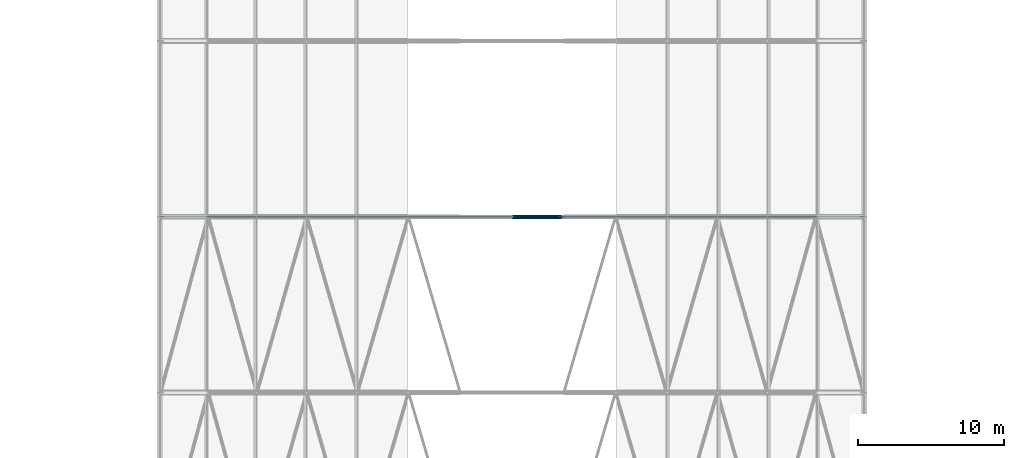
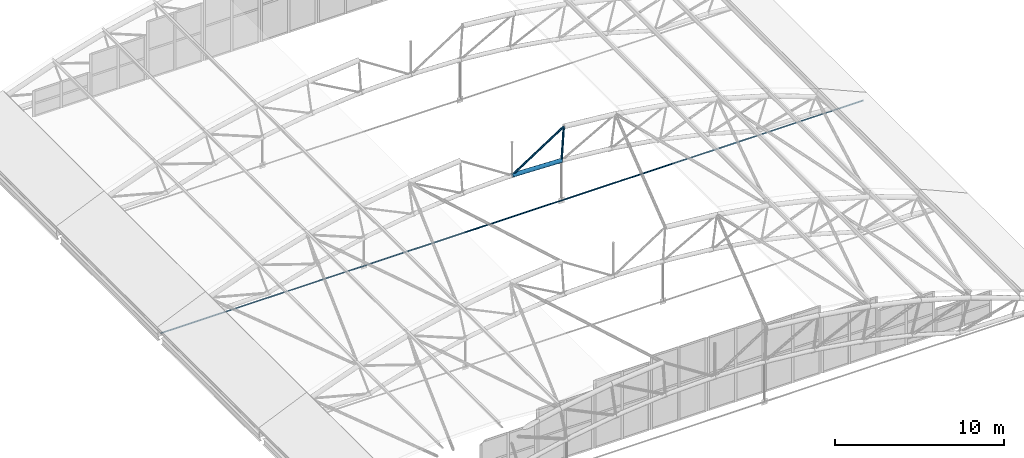
# One storey, part 130 of 321: 4 members.
"""IFC4 building model written with IfcOpenShell, lengths in metres."""

from ifc_helpers import new_model, si_unit, direction, frame, origin, origin_2d, place, context, subcontext, project, spatial, circle, hollow_circle, extrude, material, material_profile, profile_set, type_object, element, save


model = new_model("IFC4")

# Units and contexts
model_context = context("Model", 3, precision=1e-05, world=origin(), true_north=direction((0.0, 1.0)))
body_context = subcontext(model_context, "Body", "Model", "MODEL_VIEW")
ifc_project = project(units=[si_unit("LENGTHUNIT", "METRE"), si_unit("AREAUNIT", "SQUARE_METRE"), si_unit("VOLUMEUNIT", "CUBIC_METRE"), si_unit("PLANEANGLEUNIT", "RADIAN"), si_unit("MASSUNIT", "GRAM", prefix="KILO")], contexts=[model_context])

# Site, building, storey
site_placement = place(None, origin())
site = spatial("IfcSite", under=ifc_project, at=site_placement, CompositionType="ELEMENT")
building_placement = place(site_placement, origin())
building = spatial("IfcBuilding", under=site, at=building_placement, Name="Ravi Spectrum Wholesale Market", CompositionType="ELEMENT")
storey_placement = place(building_placement, frame((0.0, 0.0, 10.800048828125)))
storey = spatial("IfcBuildingStorey", under=building, at=storey_placement, Name="L02", CompositionType="ELEMENT", Elevation=10.800048828125)

# Members
ifc_material_1 = material(Name="Steel S355", Category="steel")
ifc_material_profile_1 = material_profile(ifc_material_1, hollow_circle(Radius=0.06982421875, WallThickness=0.0048828125, at=origin_2d()))
ifc_profile_set_1 = profile_set([ifc_material_profile_1], Name="Steel S355")
member_type_1 = type_object("IfcMemberType", Name="CHS 139.7x5 brace", PredefinedType="BRACE", material=ifc_profile_set_1)
member_1_placement = place(storey_placement, frame((177.540771484375, 102.0, 5.2880859375), z_axis=(-0.839894736946, 0.0, -0.542749325978), x_axis=(0.0, -1.0, 0.0)))
element("IfcMember", 1, at=member_1_placement, inside=storey, type_object=member_type_1, Name="H2-MB-L02-160", PredefinedType="BRACE", context=body_context, shape_type="SweptSolid", body=[
    extrude(hollow_circle(Radius=0.06982421875, WallThickness=0.0048828125, at=origin_2d()), origin(), (0.0, 0.0, 1.0), 4.2158203125),
])
ifc_material_2 = material(Name="Steel S355", Category="steel")
ifc_material_profile_2 = material_profile(ifc_material_2, hollow_circle(Radius=0.06982421875, WallThickness=0.0048828125, at=origin_2d()))
ifc_profile_set_2 = profile_set([ifc_material_profile_2], Name="Steel S355")
member_type_2 = type_object("IfcMemberType", Name="CHS 139.7x5 post", PredefinedType="POST", material=ifc_profile_set_2)
member_2_placement = place(storey_placement, frame((177.540771484375, 102.0, 5.2880859375), z_axis=(-0.06316988397, 0.0, -0.998002788453), x_axis=(0.0, -1.0, 0.0)))
element("IfcMember", 2, at=member_2_placement, inside=storey, type_object=member_type_2, Name="H2-MB-L02-148", PredefinedType="POST", context=body_context, shape_type="SweptSolid", body=[
    extrude(hollow_circle(Radius=0.06982421875, WallThickness=0.0048828125, at=origin_2d()), origin(), (0.0, 0.0, 1.0), 2.400146484375),
])
ifc_material_3 = material(Name="Steel S355", Category="steel")
ifc_material_profile_3 = material_profile(ifc_material_3, hollow_circle(Radius=0.136474609375, WallThickness=0.010009765625, at=origin_2d()))
ifc_profile_set_3 = profile_set([ifc_material_profile_3], Name="Steel S355")
member_type_3 = type_object("IfcMemberType", Name="CHS 273x10 chord", PredefinedType="CHORD", material=ifc_profile_set_3)
member_3_placement = place(storey_placement, frame((174.0, 102.0, 3.0), z_axis=(0.999500345993, 0.0, -0.031607884447), x_axis=(0.0, 1.0, 0.0)))
element("IfcMember", 3, at=member_3_placement, inside=storey, type_object=member_type_3, Name="H2-MB-L02-134", PredefinedType="CHORD", context=body_context, shape_type="SweptSolid", body=[
    extrude(hollow_circle(Radius=0.136474609375, WallThickness=0.010009765625, at=origin_2d()), origin(), (0.0, 0.0, 1.0), 3.390869140625),
])
ifc_material_4 = material(Name="Steel S460", Category="steel")
ifc_material_profile_4 = material_profile(ifc_material_4, circle(Radius=0.034912109375, at=origin_2d()))
ifc_profile_set_4 = profile_set([ifc_material_profile_4], Name="Steel S460")
member_type_4 = type_object("IfcMemberType", Name="ROD 70 tie", PredefinedType="BRACE", material=ifc_profile_set_4)
member_4_placement = place(storey_placement, frame((150.0, 102.0, 0.0), z_axis=(1.0, 0.0, 0.0), x_axis=(0.0, 1.0, 0.0)))
element("IfcMember", 4, at=member_4_placement, inside=storey, type_object=member_type_4, Name="H2-MB-L02-166", PredefinedType="BRACE", context=body_context, shape_type="SweptSolid", body=[
    extrude(circle(Radius=0.034912109375, at=origin_2d()), origin(), (0.0, 0.0, 1.0), 48.0),
])

save(model, "model.ifc")
